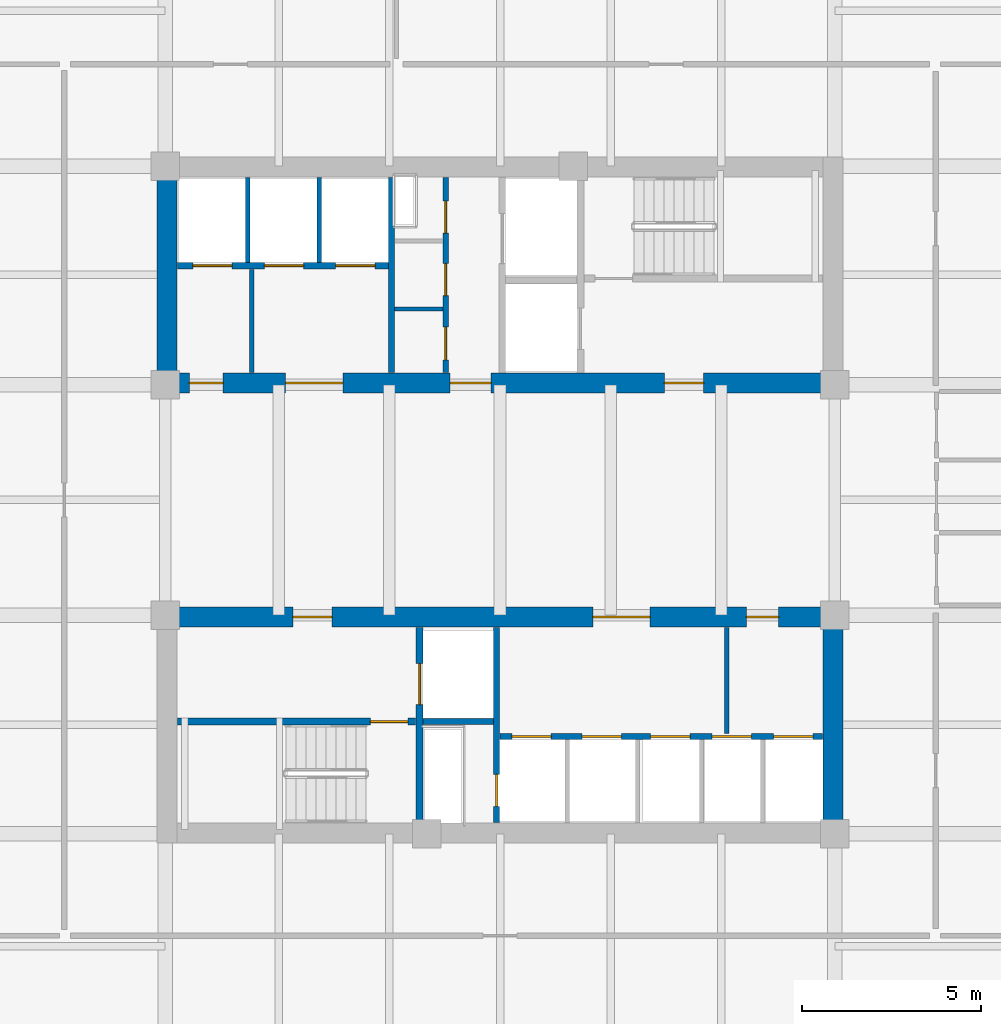
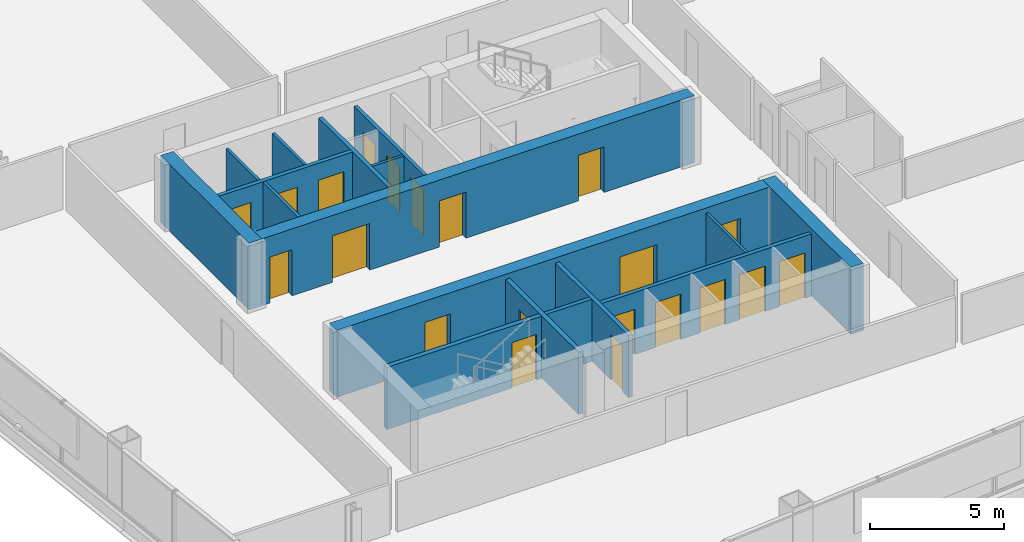
# One storey, part 22 of 26: 21 doors, 17 walls, 21 openings.
"""IFC4 building model written with IfcOpenShell, lengths in metres."""

from ifc_helpers import new_model, si_unit, direction, frame, frame_2d, origin, place, context, subcontext, project, spatial, rectangle, extrude, material, layer, layer_set, type_object, element, fill, save


model = new_model("IFC4")

# Units and contexts
model_context = context("Model", 3, precision=1e-05, world=origin(), true_north=direction((0.0, 1.0)))
body_context = subcontext(model_context, "Body", "Model", "MODEL_VIEW")
ifc_project = project(units=[si_unit("LENGTHUNIT", "METRE"), si_unit("AREAUNIT", "SQUARE_METRE"), si_unit("VOLUMEUNIT", "CUBIC_METRE"), si_unit("PLANEANGLEUNIT", "RADIAN"), si_unit("MASSUNIT", "GRAM", prefix="KILO")], contexts=[model_context])

# Site, building, storey
site_placement = place(None, origin())
site = spatial("IfcSite", under=ifc_project, at=site_placement, CompositionType="ELEMENT")
building_placement = place(site_placement, origin())
building = spatial("IfcBuilding", under=site, at=building_placement, Name="Qhalaya Broadcast Tower", CompositionType="ELEMENT")
storey_placement = place(building_placement, frame((0.0, 0.0, 72.5)))
storey = spatial("IfcBuildingStorey", under=building, at=storey_placement, Name="L20", CompositionType="ELEMENT", Elevation=72.5)

# Wall, openings, doors
ifc_material_1 = material(Name="Gypsum Acoustic Partition")
ifc_layer_1 = layer(ifc_material_1, 0.14990234375, Name="Gypsum Acoustic Partition")
ifc_layer_set_1 = layer_set([ifc_layer_1], Name="Gypsum Acoustic Partition")
wall_type_1 = type_object("IfcWallType", Name="Corridor & Tenancy Acoustic Partition 150", PredefinedType="PARTITIONING", material=ifc_layer_set_1)
wall_1_placement = place(storey_placement, frame((-1.52001953125, 4.169921875, 0.0), z_axis=(0.0, 0.0, 1.0), x_axis=(0.0, 1.0, 0.0)))
wall_1 = element("IfcWall", 1, at=wall_1_placement, inside=storey, type_object=wall_type_1, Name="L20 Partition Wall NCW-SVL", PredefinedType="PARTITIONING", context=body_context, shape_type="SweptSolid", body=[
    extrude(rectangle(XDim=5.4599609375, YDim=0.14990234375, at=frame_2d((2.72998046875, 0.0))), origin(), (0.0, 0.0, 1.0), 2.830078125),
])
opening_1_placement = place(wall_1_placement, frame((3.89990234375, 0.0, 0.0)))
opening_1 = element("IfcOpeningElement", 2, at=opening_1_placement, cuts=wall_1, Name="Opening D06", PredefinedType="OPENING", context=body_context, shape_type="SweptSolid", body=[
    extrude(rectangle(XDim=0.89990234375, YDim=2.050048828125, at=frame_2d((0.449951171875, 1.02490234375))), frame((0.0, 0.0869140625, 0.0), z_axis=(0.0, -1.0, 0.0), x_axis=(1.0, 0.0, 0.0)), (0.0, 0.0, 1.0), 0.173828125),
])
opening_2_placement = place(wall_1_placement, frame((2.14990234375, 0.0, 0.0)))
opening_2 = element("IfcOpeningElement", 3, at=opening_2_placement, cuts=wall_1, Name="Opening D06", PredefinedType="OPENING", context=body_context, shape_type="SweptSolid", body=[
    extrude(rectangle(XDim=0.89990234375, YDim=2.050048828125, at=frame_2d((0.449951171875, 1.02490234375))), frame((0.0, 0.0869140625, 0.0), z_axis=(0.0, -1.0, 0.0), x_axis=(1.0, 0.0, 0.0)), (0.0, 0.0, 1.0), 0.173828125),
])
opening_3_placement = place(wall_1_placement, frame((0.35009765625, 0.0, 0.0)))
opening_3 = element("IfcOpeningElement", 4, at=opening_3_placement, cuts=wall_1, Name="Opening D12", PredefinedType="OPENING", context=body_context, shape_type="SweptSolid", body=[
    extrude(rectangle(XDim=0.919921875, YDim=2.10009765625, at=frame_2d((0.4599609375, 1.050048828125))), frame((0.0, 0.0869140625, 0.0), z_axis=(0.0, -1.0, 0.0), x_axis=(1.0, 0.0, 0.0)), (0.0, 0.0, 1.0), 0.173828125),
])
ifc_material_2 = material(Name="Timber Veneer Acoustic Door", Category="wood")
door_type_1 = type_object("IfcDoorType", Name="Accessible WC & Restroom Door D12", OperationType="NOTDEFINED", PredefinedType="DOOR", material=ifc_material_2)
door_1_placement = place(opening_3_placement, origin())
door_1 = element("IfcDoor", 5, at=door_1_placement, inside=storey, type_object=door_type_1, Name="L20 Door D-NCWC", OperationType="SINGLE_SWING_RIGHT", OverallHeight=2.10009765625, OverallWidth=0.919921875, PredefinedType="DOOR", context=body_context, shape_type="SweptSolid", body=[
    extrude(rectangle(XDim=0.919921875, YDim=2.10009765625, at=frame_2d((0.4599609375, 1.050048828125))), frame((0.0, 0.02490234375, 0.0), z_axis=(0.0, -1.0, 0.0), x_axis=(1.0, 0.0, 0.0)), (0.0, 0.0, 1.0), 0.050048828125),
])
fill(opening_3, door_1)
ifc_material_3 = material(Name="Fire-Rated Steel Door", Category="steel")
door_type_2 = type_object("IfcDoorType", Name="Riser & Electrical Shaft Access Door D06", OperationType="NOTDEFINED", PredefinedType="DOOR", material=ifc_material_3)
door_2_placement = place(opening_1_placement, origin())
door_2 = element("IfcDoor", 6, at=door_2_placement, inside=storey, type_object=door_type_2, Name="L20 Riser Shaft Access Door D-NRSR", OperationType="SINGLE_SWING_RIGHT", OverallHeight=2.050048828125, OverallWidth=0.89990234375, PredefinedType="DOOR", context=body_context, shape_type="SweptSolid", body=[
    extrude(rectangle(XDim=0.89990234375, YDim=2.050048828125, at=frame_2d((0.449951171875, 1.02490234375))), frame((0.0, 0.02490234375, 0.0), z_axis=(0.0, -1.0, 0.0), x_axis=(1.0, 0.0, 0.0)), (0.0, 0.0, 1.0), 0.050048828125),
])
fill(opening_1, door_2)
door_3_placement = place(opening_2_placement, origin())
door_3 = element("IfcDoor", 7, at=door_3_placement, inside=storey, type_object=door_type_2, Name="L20 Door D-NITR", OperationType="SINGLE_SWING_LEFT", OverallHeight=2.050048828125, OverallWidth=0.89990234375, PredefinedType="DOOR", context=body_context, shape_type="SweptSolid", body=[
    extrude(rectangle(XDim=0.89990234375, YDim=2.050048828125, at=frame_2d((0.449951171875, 1.02490234375))), frame((0.0, 0.02490234375, 0.0), z_axis=(0.0, -1.0, 0.0), x_axis=(1.0, 0.0, 0.0)), (0.0, 0.0, 1.0), 0.050048828125),
])
fill(opening_2, door_3)

# Wall, opening, door
ifc_material_4 = material(Name="Concrete C50/60", Category="concrete")
ifc_layer_2 = layer(ifc_material_4, 0.199951171875, Name="Concrete C50/60")
ifc_layer_set_2 = layer_set([ifc_layer_2], Name="Concrete C50/60")
wall_type_2 = type_object("IfcWallType", Name="Load-Bearing Stair Shaft Wall 200", PredefinedType="SHEAR", material=ifc_layer_set_2)
wall_2_placement = place(storey_placement, frame((-9.030029296875, -5.60498046875, 0.0), z_axis=(0.0, 0.0, 1.0), x_axis=(1.0, 0.0, 0.0)))
wall_2 = element("IfcWall", 8, at=wall_2_placement, inside=storey, type_object=wall_type_2, Name="L20 Stair Core Shear Wall SCW-ST2", PredefinedType="SHEAR", context=body_context, shape_type="SweptSolid", body=[
    extrude(rectangle(XDim=6.669921875, YDim=0.199951171875, at=frame_2d((3.3349609375, 0.0))), origin(), (0.0, 0.0, 1.0), 2.830078125),
])
opening_4_placement = place(wall_2_placement, frame((5.39990234375, 0.0, 0.0)))
opening_4 = element("IfcOpeningElement", 9, at=opening_4_placement, cuts=wall_2, Name="Opening D03", PredefinedType="OPENING", context=body_context, shape_type="SweptSolid", body=[
    extrude(rectangle(XDim=1.050048828125, YDim=2.080078125, at=frame_2d((0.52490234375, 1.0400390625))), frame((0.0, 0.112060546875, 0.0), z_axis=(0.0, -1.0, 0.0), x_axis=(1.0, 0.0, 0.0)), (0.0, 0.0, 1.0), 0.223876953125),
])
door_type_3 = type_object("IfcDoorType", Name="Core Stair Protected Fire Door D03", OperationType="NOTDEFINED", PredefinedType="DOOR", material=ifc_material_3)
door_4_placement = place(opening_4_placement, origin())
door_4 = element("IfcDoor", 10, at=door_4_placement, inside=storey, type_object=door_type_3, Name="L20 Door D-SST2", OperationType="SINGLE_SWING_RIGHT", OverallHeight=2.080078125, OverallWidth=1.050048828125, PredefinedType="DOOR", context=body_context, shape_type="SweptSolid", body=[
    extrude(rectangle(XDim=1.050048828125, YDim=2.080078125, at=frame_2d((0.52490234375, 1.0400390625))), frame((0.0, 0.02490234375, 0.0), z_axis=(0.0, -1.0, 0.0), x_axis=(1.0, 0.0, 0.0)), (0.0, 0.0, 1.0), 0.050048828125),
])
fill(opening_4, door_4)

wall_3_placement = place(storey_placement, frame((-2.25, -8.429931640625, 0.0), z_axis=(0.0, 0.0, 1.0), x_axis=(0.0, 1.0, 0.0)))
wall_3 = element("IfcWall", 11, at=wall_3_placement, inside=storey, type_object=wall_type_2, Name="L20 Stair Core Shear Wall SCW-FF", PredefinedType="SHEAR", context=body_context, shape_type="SweptSolid", body=[
    extrude(rectangle(XDim=5.4599609375, YDim=0.199951171875, at=frame_2d((2.72998046875, 0.0))), origin(), (0.0, 0.0, 1.0), 2.830078125),
])
opening_5_placement = place(wall_3_placement, frame((3.300048828125, 0.0, 0.0)))
opening_5 = element("IfcOpeningElement", 12, at=opening_5_placement, cuts=wall_3, Name="Opening LD2", PredefinedType="OPENING", context=body_context, shape_type="SweptSolid", body=[
    extrude(rectangle(XDim=1.14990234375, YDim=2.080078125, at=frame_2d((0.574951171875, 1.0400390625))), frame((0.0, 0.112060546875, 0.0), z_axis=(0.0, -1.0, 0.0), x_axis=(1.0, 0.0, 0.0)), (0.0, 0.0, 1.0), 0.223876953125),
])
ifc_material_5 = material(Name="Brushed Stainless Steel Lift Door", Category="steel")
door_type_4 = type_object("IfcDoorType", Name="Firefighting Lift Sliding Landing Door LD2", OperationType="DOUBLE_DOOR_SLIDING", PredefinedType="DOOR", material=ifc_material_5)
door_5_placement = place(opening_5_placement, origin())
door_5 = element("IfcDoor", 13, at=door_5_placement, inside=storey, type_object=door_type_4, Name="L20 Door LD-FF2", OperationType="DOUBLE_DOOR_SLIDING", OverallHeight=2.080078125, OverallWidth=1.14990234375, PredefinedType="DOOR", context=body_context, shape_type="SweptSolid", body=[
    extrude(rectangle(XDim=1.14990234375, YDim=2.080078125, at=frame_2d((0.574951171875, 1.0400390625))), frame((0.0, 0.02490234375, 0.0), z_axis=(0.0, -1.0, 0.0), x_axis=(1.0, 0.0, 0.0)), (0.0, 0.0, 1.0), 0.050048828125),
])
fill(opening_5, door_5)

# Wall, openings, doors
ifc_material_6 = material(Name="Concrete C60/75", Category="concrete")
ifc_layer_3 = layer(ifc_material_6, 0.550048828125, Name="Concrete C60/75")
ifc_layer_set_3 = layer_set([ifc_layer_3], Name="Concrete C60/75")
wall_type_3 = type_object("IfcWallType", Name="Lower Split-Core Shear Wall 550", PredefinedType="SHEAR", material=ifc_layer_set_3)
wall_4_placement = place(storey_placement, frame((-9.60009765625, 3.875, 0.0), z_axis=(0.0, 0.0, 1.0), x_axis=(1.0, 0.0, 0.0)))
wall_4 = element("IfcWall", 14, at=wall_4_placement, inside=storey, type_object=wall_type_3, Name="L20 Split-Core Shear Wall CW-NS", PredefinedType="SHEAR", context=body_context, shape_type="SweptSolid", body=[
    extrude(rectangle(XDim=19.2001953125, YDim=0.550048828125, at=frame_2d((9.60009765625, 0.0))), origin(), (0.0, 0.0, 1.0), 3.050048828125),
])
opening_6_placement = place(wall_4_placement, frame((14.199951171875, 0.0, 0.0)))
opening_6 = element("IfcOpeningElement", 15, at=opening_6_placement, cuts=wall_4, Name="Opening D04", PredefinedType="OPENING", context=body_context, shape_type="SweptSolid", body=[
    extrude(rectangle(XDim=1.10009765625, YDim=2.080078125, at=frame_2d((0.550048828125, 1.0400390625))), frame((0.0, 0.287109375, 0.0), z_axis=(0.0, -1.0, 0.0), x_axis=(1.0, 0.0, 0.0)), (0.0, 0.0, 1.0), 0.573974609375),
])
opening_7_placement = place(wall_4_placement, frame((8.199951171875, 0.0, 0.0)))
opening_7 = element("IfcOpeningElement", 16, at=opening_7_placement, cuts=wall_4, Name="Opening D05", PredefinedType="OPENING", context=body_context, shape_type="SweptSolid", body=[
    extrude(rectangle(XDim=1.14990234375, YDim=2.10009765625, at=frame_2d((0.574951171875, 1.050048828125))), frame((0.0, 0.287109375, 0.0), z_axis=(0.0, -1.0, 0.0), x_axis=(1.0, 0.0, 0.0)), (0.0, 0.0, 1.0), 0.573974609375),
])
opening_8_placement = place(wall_4_placement, frame((0.89990234375, 0.0, 0.0)))
opening_8 = element("IfcOpeningElement", 17, at=opening_8_placement, cuts=wall_4, Name="Opening D10", PredefinedType="OPENING", context=body_context, shape_type="SweptSolid", body=[
    extrude(rectangle(XDim=0.949951171875, YDim=2.10009765625, at=frame_2d((0.47509765625, 1.050048828125))), frame((0.0, 0.287109375, 0.0), z_axis=(0.0, -1.0, 0.0), x_axis=(1.0, 0.0, 0.0)), (0.0, 0.0, 1.0), 0.573974609375),
])
opening_9_placement = place(wall_4_placement, frame((3.60009765625, 0.0, 0.0)))
opening_9 = element("IfcOpeningElement", 18, at=opening_9_placement, cuts=wall_4, Name="Opening D07", PredefinedType="OPENING", context=body_context, shape_type="SweptSolid", body=[
    extrude(rectangle(XDim=1.60009765625, YDim=2.1201171875, at=frame_2d((0.800048828125, 1.06005859375))), frame((0.0, 0.287109375, 0.0), z_axis=(0.0, -1.0, 0.0), x_axis=(1.0, 0.0, 0.0)), (0.0, 0.0, 1.0), 0.573974609375),
])
door_type_5 = type_object("IfcDoorType", Name="Cellular Office & Edit Booth Door D10", OperationType="NOTDEFINED", PredefinedType="DOOR", material=ifc_material_2)
door_6_placement = place(opening_8_placement, origin())
door_6 = element("IfcDoor", 19, at=door_6_placement, inside=storey, type_object=door_type_5, Name="L20 Door D-NLPNT", OperationType="SINGLE_SWING_RIGHT", OverallHeight=2.10009765625, OverallWidth=0.949951171875, PredefinedType="DOOR", context=body_context, shape_type="SweptSolid", body=[
    extrude(rectangle(XDim=0.949951171875, YDim=2.10009765625, at=frame_2d((0.47509765625, 1.050048828125))), frame((0.0, 0.02490234375, 0.0), z_axis=(0.0, -1.0, 0.0), x_axis=(1.0, 0.0, 0.0)), (0.0, 0.0, 1.0), 0.050048828125),
])
fill(opening_8, door_6)
door_type_6 = type_object("IfcDoorType", Name="Firefighting Lobby Rated Door D04", OperationType="NOTDEFINED", PredefinedType="DOOR", material=ifc_material_3)
door_7_placement = place(opening_6_placement, origin())
door_7 = element("IfcDoor", 20, at=door_7_placement, inside=storey, type_object=door_type_6, Name="L20 Door D-NFF", OperationType="SINGLE_SWING_RIGHT", OverallHeight=2.080078125, OverallWidth=1.10009765625, PredefinedType="DOOR", context=body_context, shape_type="SweptSolid", body=[
    extrude(rectangle(XDim=1.10009765625, YDim=2.080078125, at=frame_2d((0.550048828125, 1.0400390625))), frame((0.0, 0.02490234375, 0.0), z_axis=(0.0, -1.0, 0.0), x_axis=(1.0, 0.0, 0.0)), (0.0, 0.0, 1.0), 0.050048828125),
])
fill(opening_6, door_7)
ifc_material_7 = material(Name="Anodised Aluminium Glazed Door", Category="aluminium")
door_type_7 = type_object("IfcDoorType", Name="Passenger Lift Lobby Double Glazed Door D07", OperationType="DOUBLE_DOOR_SINGLE_SWING", PredefinedType="DOOR", material=ifc_material_7)
door_8_placement = place(opening_9_placement, origin())
door_8 = element("IfcDoor", 21, at=door_8_placement, inside=storey, type_object=door_type_7, Name="L20 Door D-NPLL", OperationType="DOUBLE_DOOR_SINGLE_SWING", OverallHeight=2.1201171875, OverallWidth=1.60009765625, PredefinedType="DOOR", context=body_context, shape_type="SweptSolid", body=[
    extrude(rectangle(XDim=1.60009765625, YDim=2.1201171875, at=frame_2d((0.800048828125, 1.06005859375))), frame((0.0, 0.02490234375, 0.0), z_axis=(0.0, -1.0, 0.0), x_axis=(1.0, 0.0, 0.0)), (0.0, 0.0, 1.0), 0.050048828125),
])
fill(opening_9, door_8)
door_type_8 = type_object("IfcDoorType", Name="Refuge & Plant Room Fire Door D05", OperationType="NOTDEFINED", PredefinedType="DOOR", material=ifc_material_3)
door_9_placement = place(opening_7_placement, origin())
door_9 = element("IfcDoor", 22, at=door_9_placement, inside=storey, type_object=door_type_8, Name="L20 Door D-NSVL", OperationType="SINGLE_SWING_LEFT", OverallHeight=2.10009765625, OverallWidth=1.14990234375, PredefinedType="DOOR", context=body_context, shape_type="SweptSolid", body=[
    extrude(rectangle(XDim=1.14990234375, YDim=2.10009765625, at=frame_2d((0.574951171875, 1.050048828125))), frame((0.0, 0.02490234375, 0.0), z_axis=(0.0, -1.0, 0.0), x_axis=(1.0, 0.0, 0.0)), (0.0, 0.0, 1.0), 0.050048828125),
])
fill(opening_7, door_9)

# Wall
wall_5_placement = place(storey_placement, frame((-9.324951171875, 3.60009765625, 0.0), z_axis=(0.0, 0.0, 1.0), x_axis=(0.0, 1.0, 0.0)))
element("IfcWall", 23, at=wall_5_placement, inside=storey, type_object=wall_type_3, Name="L20 Split-Core Shear Wall CW-NW", PredefinedType="SHEAR", context=body_context, shape_type="SweptSolid", body=[
    extrude(rectangle(XDim=6.599853515625, YDim=0.550048828125, at=frame_2d((3.2998046875, 0.0))), origin(), (0.0, 0.0, 1.0), 3.050048828125),
])

# Wall, openings, doors
wall_6_placement = place(storey_placement, frame((-9.60009765625, -2.675048828125, 0.0), z_axis=(0.0, 0.0, 1.0), x_axis=(1.0, 0.0, 0.0)))
wall_6 = element("IfcWall", 24, at=wall_6_placement, inside=storey, type_object=wall_type_3, Name="L20 Split-Core Shear Wall CW-SN", PredefinedType="SHEAR", context=body_context, shape_type="SweptSolid", body=[
    extrude(rectangle(XDim=19.2001953125, YDim=0.550048828125, at=frame_2d((9.60009765625, 0.0))), origin(), (0.0, 0.0, 1.0), 3.050048828125),
])
opening_10_placement = place(wall_6_placement, frame((3.800048828125, 0.0, 0.0)))
opening_10 = element("IfcOpeningElement", 25, at=opening_10_placement, cuts=wall_6, Name="Opening D04", PredefinedType="OPENING", context=body_context, shape_type="SweptSolid", body=[
    extrude(rectangle(XDim=1.10009765625, YDim=2.080078125, at=frame_2d((0.550048828125, 1.0400390625))), frame((0.0, 0.287109375, 0.0), z_axis=(0.0, -1.0, 0.0), x_axis=(1.0, 0.0, 0.0)), (0.0, 0.0, 1.0), 0.573974609375),
])
opening_11_placement = place(wall_6_placement, frame((12.199951171875, 0.0, 0.0)))
opening_11 = element("IfcOpeningElement", 26, at=opening_11_placement, cuts=wall_6, Name="Opening D07", PredefinedType="OPENING", context=body_context, shape_type="SweptSolid", body=[
    extrude(rectangle(XDim=1.60009765625, YDim=2.1201171875, at=frame_2d((0.800048828125, 1.06005859375))), frame((0.0, 0.287109375, 0.0), z_axis=(0.0, -1.0, 0.0), x_axis=(1.0, 0.0, 0.0)), (0.0, 0.0, 1.0), 0.573974609375),
])
opening_12_placement = place(wall_6_placement, frame((16.5, 0.0, 0.0)))
opening_12 = element("IfcOpeningElement", 27, at=opening_12_placement, cuts=wall_6, Name="Opening D06", PredefinedType="OPENING", context=body_context, shape_type="SweptSolid", body=[
    extrude(rectangle(XDim=0.89990234375, YDim=2.050048828125, at=frame_2d((0.449951171875, 1.02490234375))), frame((0.0, 0.287109375, 0.0), z_axis=(0.0, -1.0, 0.0), x_axis=(1.0, 0.0, 0.0)), (0.0, 0.0, 1.0), 0.573974609375),
])
door_10_placement = place(opening_10_placement, origin())
door_10 = element("IfcDoor", 28, at=door_10_placement, inside=storey, type_object=door_type_6, Name="L20 Door D-SFF", OperationType="SINGLE_SWING_LEFT", OverallHeight=2.080078125, OverallWidth=1.10009765625, PredefinedType="DOOR", context=body_context, shape_type="SweptSolid", body=[
    extrude(rectangle(XDim=1.10009765625, YDim=2.080078125, at=frame_2d((0.550048828125, 1.0400390625))), frame((0.0, 0.02490234375, 0.0), z_axis=(0.0, -1.0, 0.0), x_axis=(1.0, 0.0, 0.0)), (0.0, 0.0, 1.0), 0.050048828125),
])
fill(opening_10, door_10)
door_11_placement = place(opening_11_placement, origin())
door_11 = element("IfcDoor", 29, at=door_11_placement, inside=storey, type_object=door_type_7, Name="L20 Door D-SPLL", OperationType="DOUBLE_DOOR_SINGLE_SWING", OverallHeight=2.1201171875, OverallWidth=1.60009765625, PredefinedType="DOOR", context=body_context, shape_type="SweptSolid", body=[
    extrude(rectangle(XDim=1.60009765625, YDim=2.1201171875, at=frame_2d((0.800048828125, 1.06005859375))), frame((0.0, 0.02490234375, 0.0), z_axis=(0.0, -1.0, 0.0), x_axis=(1.0, 0.0, 0.0)), (0.0, 0.0, 1.0), 0.050048828125),
])
fill(opening_11, door_11)
door_12_placement = place(opening_12_placement, origin())
door_12 = element("IfcDoor", 30, at=door_12_placement, inside=storey, type_object=door_type_2, Name="L20 Door D-SSCST", OperationType="SINGLE_SWING_LEFT", OverallHeight=2.050048828125, OverallWidth=0.89990234375, PredefinedType="DOOR", context=body_context, shape_type="SweptSolid", body=[
    extrude(rectangle(XDim=0.89990234375, YDim=2.050048828125, at=frame_2d((0.449951171875, 1.02490234375))), frame((0.0, 0.02490234375, 0.0), z_axis=(0.0, -1.0, 0.0), x_axis=(1.0, 0.0, 0.0)), (0.0, 0.0, 1.0), 0.050048828125),
])
fill(opening_12, door_12)

# Walls
wall_7_placement = place(storey_placement, frame((9.324951171875, -9.0, 0.0), z_axis=(0.0, 0.0, 1.0), x_axis=(0.0, 1.0, 0.0)))
element("IfcWall", 31, at=wall_7_placement, inside=storey, type_object=wall_type_3, Name="L20 Split-Core Shear Wall CW-SE", PredefinedType="SHEAR", context=body_context, shape_type="SweptSolid", body=[
    extrude(rectangle(XDim=6.60009765625, YDim=0.550048828125, at=frame_2d((3.300048828125, 0.0))), origin(), (0.0, 0.0, 1.0), 3.050048828125),
])
ifc_layer_4 = layer(ifc_material_1, 0.1201171875, Name="Gypsum Acoustic Partition")
ifc_layer_set_4 = layer_set([ifc_layer_4], Name="Gypsum Acoustic Partition")
wall_type_4 = type_object("IfcWallType", Name="Office, Booth & Sanitary Partition 120", PredefinedType="PARTITIONING", material=ifc_layer_set_4)
wall_8_placement = place(storey_placement, frame((-2.9599609375, 5.949951171875, 0.0), z_axis=(0.0, 0.0, 1.0), x_axis=(1.0, 0.0, 0.0)))
element("IfcWall", 32, at=wall_8_placement, inside=storey, type_object=wall_type_4, Name="L20 Partition Wall NCW-VB1", PredefinedType="PARTITIONING", context=body_context, shape_type="SweptSolid", body=[
    extrude(rectangle(XDim=1.35986328125, YDim=0.1201171875, at=frame_2d((0.679931640625, 0.0))), origin(), (0.0, 0.0, 1.0), 2.830078125),
])
for number, where, z_axis, x_axis, name in (
    (33, (-7.06005859375, 7.25, 0.0), (0.0, 0.0, 1.0), (0.0, 1.0, 0.0), "L20 Partition Wall NCW-PD1"),
    (34, (-5.06005859375, 7.25, 0.0), (0.0, 0.0, 1.0), (0.0, 1.0, 0.0), "L20 Partition Wall NCW-PD2"),
):
    element("IfcWall", number, at=place(storey_placement, frame(where, z_axis=z_axis, x_axis=x_axis)), inside=storey, type_object=wall_type_4, Name=name, PredefinedType="PARTITIONING", context=body_context, shape_type="SweptSolid", body=[
        extrude(rectangle(XDim=2.3798828125, YDim=0.1201171875, at=frame_2d((1.18994140625, 0.0))), origin(), (0.0, 0.0, 1.0), 2.830078125),
    ])
wall_9_placement = place(storey_placement, frame((-6.949951171875, 4.169921875, 0.0), z_axis=(0.0, 0.0, 1.0), x_axis=(0.0, 1.0, 0.0)))
element("IfcWall", 35, at=wall_9_placement, inside=storey, type_object=wall_type_4, Name="L20 Partition Wall NCW-LKB", PredefinedType="PARTITIONING", context=body_context, shape_type="SweptSolid", body=[
    extrude(rectangle(XDim=2.89013671875, YDim=0.1201171875, at=frame_2d((1.445068359375, 0.0))), origin(), (0.0, 0.0, 1.0), 2.830078125),
])
wall_10_placement = place(storey_placement, frame((6.35009765625, -5.93994140625, 0.0), z_axis=(0.0, 0.0, 1.0), x_axis=(0.0, 1.0, 0.0)))
element("IfcWall", 36, at=wall_10_placement, inside=storey, type_object=wall_type_4, Name="L20 Partition Wall SCW-LKB", PredefinedType="PARTITIONING", context=body_context, shape_type="SweptSolid", body=[
    extrude(rectangle(XDim=2.969970703125, YDim=0.1201171875, at=frame_2d((1.48486328125, 0.0))), origin(), (0.0, 0.0, 1.0), 2.830078125),
])
ifc_layer_5 = layer(ifc_material_1, 0.175048828125, Name="Gypsum Acoustic Partition")
ifc_layer_set_5 = layer_set([ifc_layer_5], Name="Gypsum Acoustic Partition")
wall_type_5 = type_object("IfcWallType", Name="Shaft & Riser Fire Partition 175", PredefinedType="PARTITIONING", material=ifc_layer_set_5)
wall_11_placement = place(storey_placement, frame((-3.0400390625, 4.169921875, 0.0), z_axis=(0.0, 0.0, 1.0), x_axis=(0.0, 1.0, 0.0)))
element("IfcWall", 37, at=wall_11_placement, inside=storey, type_object=wall_type_5, Name="L20 Partition Wall NCW-VRW", PredefinedType="PARTITIONING", context=body_context, shape_type="SweptSolid", body=[
    extrude(rectangle(XDim=5.4599609375, YDim=0.175048828125, at=frame_2d((2.72998046875, 0.0))), origin(), (0.0, 0.0, 1.0), 2.830078125),
])

# Wall, openings, doors
wall_12_placement = place(storey_placement, frame((-9.030029296875, 7.159912109375, 0.0), z_axis=(0.0, 0.0, 1.0), x_axis=(1.0, 0.0, 0.0)))
wall_12 = element("IfcWall", 38, at=wall_12_placement, inside=storey, type_object=wall_type_5, Name="L20 Partition Wall NCW-PLB", PredefinedType="PARTITIONING", context=body_context, shape_type="SweptSolid", body=[
    extrude(rectangle(XDim=5.909912109375, YDim=0.175048828125, at=frame_2d((2.955078125, 0.0))), origin(), (0.0, 0.0, 1.0), 2.830078125),
])
opening_13_placement = place(wall_12_placement, frame((0.429931640625, 0.0, 0.0)))
opening_13 = element("IfcOpeningElement", 39, at=opening_13_placement, cuts=wall_12, Name="Opening LD1", PredefinedType="OPENING", context=body_context, shape_type="SweptSolid", body=[
    extrude(rectangle(XDim=1.10009765625, YDim=2.06005859375, at=frame_2d((0.550048828125, 1.030029296875))), frame((0.0, 0.099609375, 0.0), z_axis=(0.0, -1.0, 0.0), x_axis=(1.0, 0.0, 0.0)), (0.0, 0.0, 1.0), 0.198974609375),
])
opening_14_placement = place(wall_12_placement, frame((2.429931640625, 0.0, 0.0)))
opening_14 = element("IfcOpeningElement", 40, at=opening_14_placement, cuts=wall_12, Name="Opening LD1", PredefinedType="OPENING", context=body_context, shape_type="SweptSolid", body=[
    extrude(rectangle(XDim=1.10009765625, YDim=2.06005859375, at=frame_2d((0.550048828125, 1.030029296875))), frame((0.0, 0.099609375, 0.0), z_axis=(0.0, -1.0, 0.0), x_axis=(1.0, 0.0, 0.0)), (0.0, 0.0, 1.0), 0.198974609375),
])
opening_15_placement = place(wall_12_placement, frame((4.429931640625, 0.0, 0.0)))
opening_15 = element("IfcOpeningElement", 41, at=opening_15_placement, cuts=wall_12, Name="Opening LD1", PredefinedType="OPENING", context=body_context, shape_type="SweptSolid", body=[
    extrude(rectangle(XDim=1.10009765625, YDim=2.06005859375, at=frame_2d((0.550048828125, 1.030029296875))), frame((0.0, 0.099609375, 0.0), z_axis=(0.0, -1.0, 0.0), x_axis=(1.0, 0.0, 0.0)), (0.0, 0.0, 1.0), 0.198974609375),
])
door_type_9 = type_object("IfcDoorType", Name="Passenger Lift Sliding Landing Door LD1", OperationType="DOUBLE_DOOR_SLIDING", PredefinedType="DOOR", material=ifc_material_5)
door_13_placement = place(opening_13_placement, origin())
door_13 = element("IfcDoor", 42, at=door_13_placement, inside=storey, type_object=door_type_9, Name="L20 Door LD-P1", OperationType="DOUBLE_DOOR_SLIDING", OverallHeight=2.06005859375, OverallWidth=1.10009765625, PredefinedType="DOOR", context=body_context, shape_type="SweptSolid", body=[
    extrude(rectangle(XDim=1.10009765625, YDim=2.06005859375, at=frame_2d((0.550048828125, 1.030029296875))), frame((0.0, 0.02490234375, 0.0), z_axis=(0.0, -1.0, 0.0), x_axis=(1.0, 0.0, 0.0)), (0.0, 0.0, 1.0), 0.050048828125),
])
fill(opening_13, door_13)
door_14_placement = place(opening_14_placement, origin())
door_14 = element("IfcDoor", 43, at=door_14_placement, inside=storey, type_object=door_type_9, Name="L20 Door LD-P2", OperationType="DOUBLE_DOOR_SLIDING", OverallHeight=2.06005859375, OverallWidth=1.10009765625, PredefinedType="DOOR", context=body_context, shape_type="SweptSolid", body=[
    extrude(rectangle(XDim=1.10009765625, YDim=2.06005859375, at=frame_2d((0.550048828125, 1.030029296875))), frame((0.0, 0.02490234375, 0.0), z_axis=(0.0, -1.0, 0.0), x_axis=(1.0, 0.0, 0.0)), (0.0, 0.0, 1.0), 0.050048828125),
])
fill(opening_14, door_14)
door_15_placement = place(opening_15_placement, origin())
door_15 = element("IfcDoor", 44, at=door_15_placement, inside=storey, type_object=door_type_9, Name="L20 Door LD-P3", OperationType="DOUBLE_DOOR_SLIDING", OverallHeight=2.06005859375, OverallWidth=1.10009765625, PredefinedType="DOOR", context=body_context, shape_type="SweptSolid", body=[
    extrude(rectangle(XDim=1.10009765625, YDim=2.06005859375, at=frame_2d((0.550048828125, 1.030029296875))), frame((0.0, 0.02490234375, 0.0), z_axis=(0.0, -1.0, 0.0), x_axis=(1.0, 0.0, 0.0)), (0.0, 0.0, 1.0), 0.050048828125),
])
fill(opening_15, door_15)

# Wall, opening, door
wall_13_placement = place(storey_placement, frame((-0.10009765625, -8.429931640625, 0.0), z_axis=(0.0, 0.0, 1.0), x_axis=(0.0, 1.0, 0.0)))
wall_13 = element("IfcWall", 45, at=wall_13_placement, inside=storey, type_object=wall_type_5, Name="L20 Partition Wall SCW-FFE", PredefinedType="PARTITIONING", context=body_context, shape_type="SweptSolid", body=[
    extrude(rectangle(XDim=5.4599609375, YDim=0.175048828125, at=frame_2d((2.72998046875, 0.0))), origin(), (0.0, 0.0, 1.0), 2.830078125),
])
opening_16_placement = place(wall_13_placement, frame((0.449951171875, 0.0, 0.0)))
opening_16 = element("IfcOpeningElement", 46, at=opening_16_placement, cuts=wall_13, Name="Opening D06", PredefinedType="OPENING", context=body_context, shape_type="SweptSolid", body=[
    extrude(rectangle(XDim=0.89990234375, YDim=2.050048828125, at=frame_2d((0.449951171875, 1.02490234375))), frame((0.0, 0.099609375, 0.0), z_axis=(0.0, -1.0, 0.0), x_axis=(1.0, 0.0, 0.0)), (0.0, 0.0, 1.0), 0.198974609375),
])
door_16_placement = place(opening_16_placement, origin())
door_16 = element("IfcDoor", 47, at=door_16_placement, inside=storey, type_object=door_type_2, Name="L20 Riser Shaft Access Door D-SRSR", OperationType="SINGLE_SWING_LEFT", OverallHeight=2.050048828125, OverallWidth=0.89990234375, PredefinedType="DOOR", context=body_context, shape_type="SweptSolid", body=[
    extrude(rectangle(XDim=0.89990234375, YDim=2.050048828125, at=frame_2d((0.449951171875, 1.02490234375))), frame((0.0, 0.02490234375, 0.0), z_axis=(0.0, -1.0, 0.0), x_axis=(1.0, 0.0, 0.0)), (0.0, 0.0, 1.0), 0.050048828125),
])
fill(opening_16, door_16)

# Wall
wall_14_placement = place(storey_placement, frame((-2.14990234375, -5.60009765625, 0.0), z_axis=(0.0, 0.0, 1.0), x_axis=(1.0, 0.0, 0.0)))
element("IfcWall", 48, at=wall_14_placement, inside=storey, type_object=wall_type_5, Name="L20 Partition Wall SCW-FFM", PredefinedType="PARTITIONING", context=body_context, shape_type="SweptSolid", body=[
    extrude(rectangle(XDim=1.969970703125, YDim=0.175048828125, at=frame_2d((0.98486328125, 0.0))), origin(), (0.0, 0.0, 1.0), 2.830078125),
])

# Wall, openings, doors
wall_15_placement = place(storey_placement, frame((0.0, -6.02001953125, 0.0), z_axis=(0.0, 0.0, 1.0), x_axis=(1.0, 0.0, 0.0)))
wall_15 = element("IfcWall", 49, at=wall_15_placement, inside=storey, type_object=wall_type_5, Name="L20 Partition Wall SCW-SLB", PredefinedType="PARTITIONING", context=body_context, shape_type="SweptSolid", body=[
    extrude(rectangle(XDim=9.030029296875, YDim=0.175048828125, at=frame_2d((4.51513671875, 0.0))), origin(), (0.0, 0.0, 1.0), 2.830078125),
])
opening_17_placement = place(wall_15_placement, frame((0.330078125, 0.0, 0.0)))
opening_17 = element("IfcOpeningElement", 50, at=opening_17_placement, cuts=wall_15, Name="Opening LD1", PredefinedType="OPENING", context=body_context, shape_type="SweptSolid", body=[
    extrude(rectangle(XDim=1.10009765625, YDim=2.06005859375, at=frame_2d((0.550048828125, 1.030029296875))), frame((0.0, 0.099609375, 0.0), z_axis=(0.0, -1.0, 0.0), x_axis=(1.0, 0.0, 0.0)), (0.0, 0.0, 1.0), 0.198974609375),
])
opening_18_placement = place(wall_15_placement, frame((2.300048828125, 0.0, 0.0)))
opening_18 = element("IfcOpeningElement", 51, at=opening_18_placement, cuts=wall_15, Name="Opening LD1", PredefinedType="OPENING", context=body_context, shape_type="SweptSolid", body=[
    extrude(rectangle(XDim=1.10009765625, YDim=2.06005859375, at=frame_2d((0.550048828125, 1.030029296875))), frame((0.0, 0.099609375, 0.0), z_axis=(0.0, -1.0, 0.0), x_axis=(1.0, 0.0, 0.0)), (0.0, 0.0, 1.0), 0.198974609375),
])
opening_19_placement = place(wall_15_placement, frame((4.219970703125, 0.0, 0.0)))
opening_19 = element("IfcOpeningElement", 52, at=opening_19_placement, cuts=wall_15, Name="Opening LD1", PredefinedType="OPENING", context=body_context, shape_type="SweptSolid", body=[
    extrude(rectangle(XDim=1.10009765625, YDim=2.06005859375, at=frame_2d((0.550048828125, 1.030029296875))), frame((0.0, 0.099609375, 0.0), z_axis=(0.0, -1.0, 0.0), x_axis=(1.0, 0.0, 0.0)), (0.0, 0.0, 1.0), 0.198974609375),
])
opening_20_placement = place(wall_15_placement, frame((5.93994140625, 0.0, 0.0)))
opening_20 = element("IfcOpeningElement", 53, at=opening_20_placement, cuts=wall_15, Name="Opening LD1", PredefinedType="OPENING", context=body_context, shape_type="SweptSolid", body=[
    extrude(rectangle(XDim=1.10009765625, YDim=2.06005859375, at=frame_2d((0.550048828125, 1.030029296875))), frame((0.0, 0.099609375, 0.0), z_axis=(0.0, -1.0, 0.0), x_axis=(1.0, 0.0, 0.0)), (0.0, 0.0, 1.0), 0.198974609375),
])
opening_21_placement = place(wall_15_placement, frame((7.659912109375, 0.0, 0.0)))
opening_21 = element("IfcOpeningElement", 54, at=opening_21_placement, cuts=wall_15, Name="Opening LD1", PredefinedType="OPENING", context=body_context, shape_type="SweptSolid", body=[
    extrude(rectangle(XDim=1.10009765625, YDim=2.06005859375, at=frame_2d((0.550048828125, 1.030029296875))), frame((0.0, 0.099609375, 0.0), z_axis=(0.0, -1.0, 0.0), x_axis=(1.0, 0.0, 0.0)), (0.0, 0.0, 1.0), 0.198974609375),
])
door_17_placement = place(opening_17_placement, origin())
door_17 = element("IfcDoor", 55, at=door_17_placement, inside=storey, type_object=door_type_9, Name="L20 Door LD-P4", OperationType="DOUBLE_DOOR_SLIDING", OverallHeight=2.06005859375, OverallWidth=1.10009765625, PredefinedType="DOOR", context=body_context, shape_type="SweptSolid", body=[
    extrude(rectangle(XDim=1.10009765625, YDim=2.06005859375, at=frame_2d((0.550048828125, 1.030029296875))), frame((0.0, 0.02490234375, 0.0), z_axis=(0.0, -1.0, 0.0), x_axis=(1.0, 0.0, 0.0)), (0.0, 0.0, 1.0), 0.050048828125),
])
fill(opening_17, door_17)
door_18_placement = place(opening_18_placement, origin())
door_18 = element("IfcDoor", 56, at=door_18_placement, inside=storey, type_object=door_type_9, Name="L20 Door LD-P5", OperationType="DOUBLE_DOOR_SLIDING", OverallHeight=2.06005859375, OverallWidth=1.10009765625, PredefinedType="DOOR", context=body_context, shape_type="SweptSolid", body=[
    extrude(rectangle(XDim=1.10009765625, YDim=2.06005859375, at=frame_2d((0.550048828125, 1.030029296875))), frame((0.0, 0.02490234375, 0.0), z_axis=(0.0, -1.0, 0.0), x_axis=(1.0, 0.0, 0.0)), (0.0, 0.0, 1.0), 0.050048828125),
])
fill(opening_18, door_18)
door_19_placement = place(opening_19_placement, origin())
door_19 = element("IfcDoor", 57, at=door_19_placement, inside=storey, type_object=door_type_9, Name="L20 Door LD-P6", OperationType="DOUBLE_DOOR_SLIDING", OverallHeight=2.06005859375, OverallWidth=1.10009765625, PredefinedType="DOOR", context=body_context, shape_type="SweptSolid", body=[
    extrude(rectangle(XDim=1.10009765625, YDim=2.06005859375, at=frame_2d((0.550048828125, 1.030029296875))), frame((0.0, 0.02490234375, 0.0), z_axis=(0.0, -1.0, 0.0), x_axis=(1.0, 0.0, 0.0)), (0.0, 0.0, 1.0), 0.050048828125),
])
fill(opening_19, door_19)
door_20_placement = place(opening_20_placement, origin())
door_20 = element("IfcDoor", 58, at=door_20_placement, inside=storey, type_object=door_type_9, Name="L20 Door LD-P7", OperationType="DOUBLE_DOOR_SLIDING", OverallHeight=2.06005859375, OverallWidth=1.10009765625, PredefinedType="DOOR", context=body_context, shape_type="SweptSolid", body=[
    extrude(rectangle(XDim=1.10009765625, YDim=2.06005859375, at=frame_2d((0.550048828125, 1.030029296875))), frame((0.0, 0.02490234375, 0.0), z_axis=(0.0, -1.0, 0.0), x_axis=(1.0, 0.0, 0.0)), (0.0, 0.0, 1.0), 0.050048828125),
])
fill(opening_20, door_20)
door_21_placement = place(opening_21_placement, origin())
door_21 = element("IfcDoor", 59, at=door_21_placement, inside=storey, type_object=door_type_9, Name="L20 Door LD-P8", OperationType="DOUBLE_DOOR_SLIDING", OverallHeight=2.06005859375, OverallWidth=1.10009765625, PredefinedType="DOOR", context=body_context, shape_type="SweptSolid", body=[
    extrude(rectangle(XDim=1.10009765625, YDim=2.06005859375, at=frame_2d((0.550048828125, 1.030029296875))), frame((0.0, 0.02490234375, 0.0), z_axis=(0.0, -1.0, 0.0), x_axis=(1.0, 0.0, 0.0)), (0.0, 0.0, 1.0), 0.050048828125),
])
fill(opening_21, door_21)

save(model, "model.ifc")
